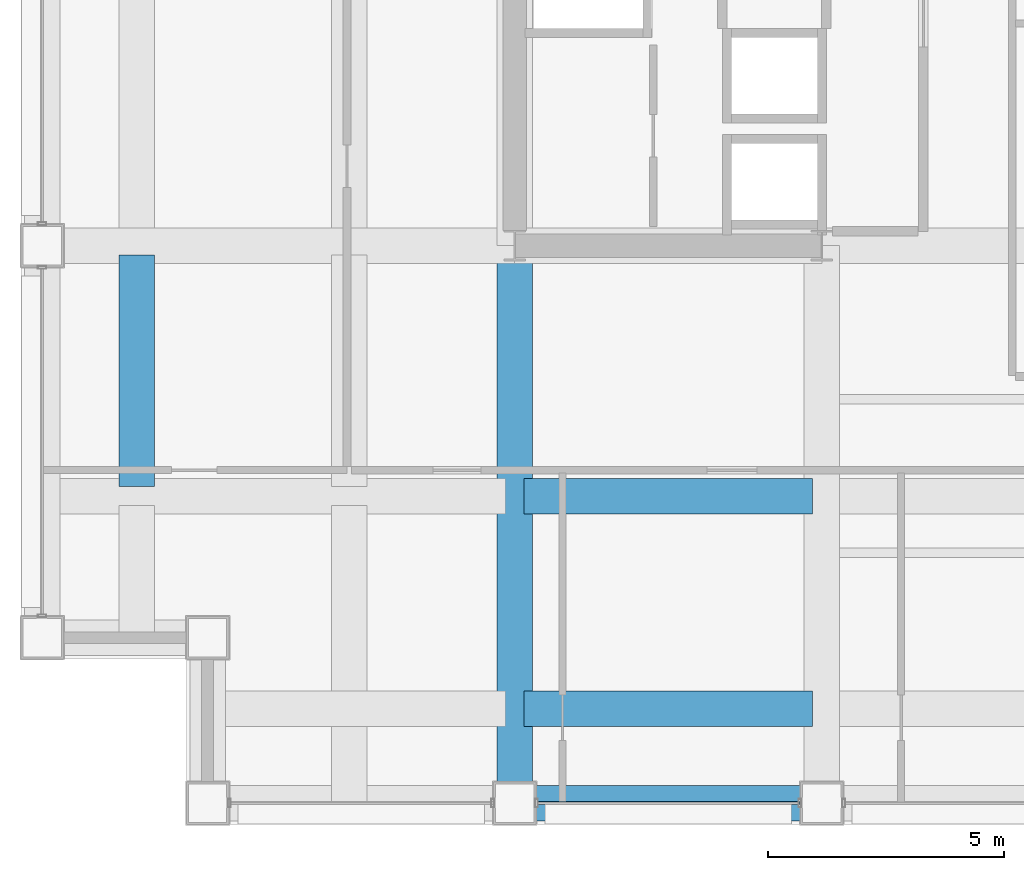
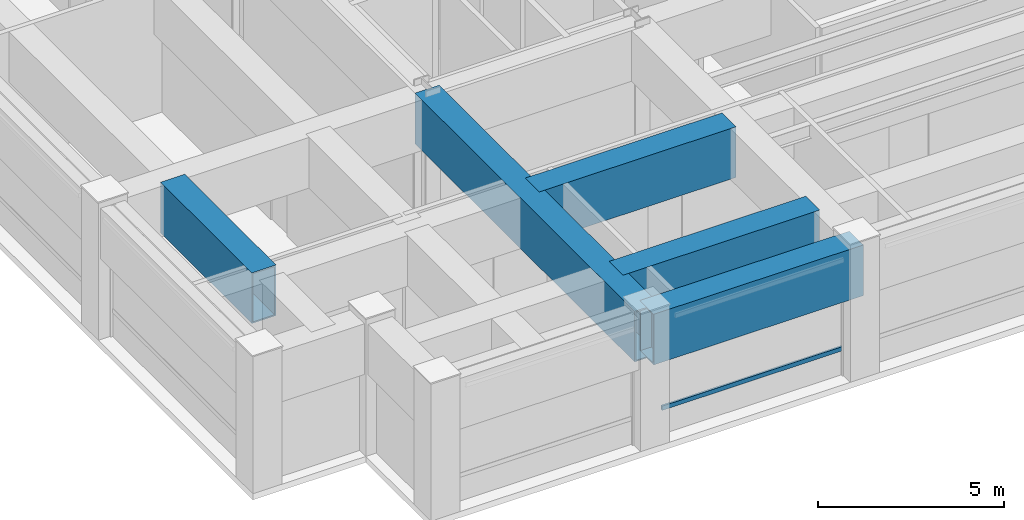
# One storey, part 3 of 29: 5 beams, 1 member, 1 element without a shape of its own.
"""IFC4 building model written with IfcOpenShell, lengths in metres."""

from ifc_helpers import new_model, si_unit, direction, frame, origin, origin_2d, place, context, subcontext, project, spatial, hollow_rectangle, extrude, material, layer, layer_set, material_profile, profile_set, type_object, element, aggregate, save


model = new_model("IFC4")

# Units and contexts
model_context = context("Model", 3, precision=1e-05, world=origin(), true_north=direction((0.0, 1.0)))
body_context = subcontext(model_context, "Body", "Model", "MODEL_VIEW")
ifc_project = project(units=[si_unit("LENGTHUNIT", "METRE"), si_unit("AREAUNIT", "SQUARE_METRE"), si_unit("VOLUMEUNIT", "CUBIC_METRE"), si_unit("PLANEANGLEUNIT", "RADIAN"), si_unit("MASSUNIT", "GRAM", prefix="KILO")], contexts=[model_context])

# Site, building, storey
site_placement = place(None, origin())
site = spatial("IfcSite", under=ifc_project, at=site_placement, CompositionType="ELEMENT")
building_placement = place(site_placement, origin())
building = spatial("IfcBuilding", under=site, at=building_placement, Name="Brelmoor Portico Tower", CompositionType="ELEMENT")
storey_placement = place(building_placement, frame((0.0, 0.0, 82.800048828125)))
storey = spatial("IfcBuildingStorey", under=building, at=storey_placement, Name="L21", CompositionType="ELEMENT", Elevation=82.800048828125)

# Beams
ifc_material_1 = material(Name="Steel Q355B", Category="steel")
ifc_material_profile_1 = material_profile(ifc_material_1, hollow_rectangle(XDim=0.75, YDim=1.659912109375, WallThickness=0.0419921875, at=origin_2d()), Name="BOX 750x1660x42")
ifc_profile_set_1 = profile_set([ifc_material_profile_1], Name="Steel Q355B")
beam_type = type_object("IfcBeamType", Name="BM-TG-Z2", PredefinedType="BEAM", material=ifc_profile_set_1)
beam_1_placement = place(storey_placement, frame((-14.550048828125, -21.550048828125, 3.469970703125), z_axis=(1.0, 0.0, 0.0), x_axis=(0.0, 1.0, 0.0)))
element("IfcBeam", 1, at=beam_1_placement, inside=storey, type_object=beam_type, Name="L21 Perimeter Transfer Beam SP-02", PredefinedType="BEAM", context=body_context, shape_type="SweptSolid", body=[
    extrude(hollow_rectangle(XDim=0.75, YDim=1.659912109375, WallThickness=0.0419921875, at=origin_2d()), origin(), (0.0, 0.0, 1.0), 6.5),
])
beam_2_placement = place(storey_placement, frame((-14.550048828125, -21.550048828125, 3.469970703125), z_axis=(0.0, 1.0, 0.0), x_axis=(-1.0, 0.0, 0.0)))
element("IfcBeam", 2, at=beam_2_placement, inside=storey, type_object=beam_type, Name="L21 Setback Transfer Girder PG-03", PredefinedType="BEAM", context=body_context, shape_type="SweptSolid", body=[
    extrude(hollow_rectangle(XDim=0.75, YDim=1.659912109375, WallThickness=0.0419921875, at=origin_2d()), origin(), (0.0, 0.0, 1.0), 11.800048828125),
])
for number, where, z_axis, x_axis, name in (
    (3, (-14.35009765625, -19.550048828125, 3.469970703125), (1.0, 0.0, 0.0), (0.0, 1.0, 0.0), "L21 Setback Transfer Girder TGN-02"),
    (4, (-14.35009765625, -15.050048828125, 3.469970703125), (1.0, 0.0, 0.0), (0.0, 1.0, 0.0), "L21 Setback Transfer Girder TGN-12"),
):
    element("IfcBeam", number, at=place(storey_placement, frame(where, z_axis=z_axis, x_axis=x_axis)), inside=storey, type_object=beam_type, Name=name, PredefinedType="BEAM", context=body_context, shape_type="SweptSolid", body=[
        extrude(hollow_rectangle(XDim=0.75, YDim=1.659912109375, WallThickness=0.0419921875, at=origin_2d()), origin(), (0.0, 0.0, 1.0), 6.10009765625),
    ])
beam_3_placement = place(storey_placement, frame((-22.550048828125, -14.85009765625, 3.469970703125), z_axis=(0.0, 1.0, 0.0), x_axis=(-1.0, 0.0, 0.0)))
element("IfcBeam", 5, at=beam_3_placement, inside=storey, type_object=beam_type, Name="L21 Setback Transfer Girder TGN-32", PredefinedType="BEAM", context=body_context, shape_type="SweptSolid", body=[
    extrude(hollow_rectangle(XDim=0.75, YDim=1.659912109375, WallThickness=0.0419921875, at=origin_2d()), origin(), (0.0, 0.0, 1.0), 4.900146484375),
])

# Curtain wall, member
ifc_material_2 = material(Name="Anodised Aluminium Alloy 6063-T6", Category="aluminium")
ifc_layer = layer(ifc_material_2, 0.179931640625)
ifc_layer_set = layer_set([ifc_layer], Name="Anodised Aluminium Alloy 6063-T6")
curtain_wall_type = type_object("IfcCurtainWallType", Name="CW-TOWER-Z1", PredefinedType="NOTDEFINED", material=ifc_layer_set)
curtain_wall_placement = place(storey_placement, origin())
curtain_wall = element("IfcCurtainWall", 6, at=curtain_wall_placement, inside=storey, type_object=curtain_wall_type, Name="L21 Curtain Wall CW-L21-01-2", PredefinedType="NOTDEFINED")
ifc_material_profile_2 = material_profile(ifc_material_2, hollow_rectangle(XDim=0.06494140625, YDim=0.139892578125, WallThickness=0.00390625, at=origin_2d()), Name="ALU TRANSOM 65x140")
ifc_profile_set_2 = profile_set([ifc_material_profile_2], Name="Anodised Aluminium Alloy 6063-T6")
member_type = type_object("IfcMemberType", Name="MB-CW-TRAN-140", PredefinedType="USERDEFINED", material=ifc_profile_set_2)
member_placement = place(storey_placement, frame((-14.090087890625, -21.550048828125, 0.849853515625), z_axis=(1.0, 0.0, 0.0), x_axis=(0.0, 1.0, 0.0)))
member = element("IfcMember", 7, at=member_placement, type_object=member_type, Name="CW-L21-01-2 Transom 1-00", ObjectType="TRANSOM", PredefinedType="USERDEFINED", context=body_context, shape_type="SweptSolid", body=[
    extrude(hollow_rectangle(XDim=0.06494140625, YDim=0.139892578125, WallThickness=0.00390625, at=origin_2d()), origin(), (0.0, 0.0, 1.0), 5.580078125),
])
aggregate(curtain_wall, [member])

save(model, "model.ifc")
